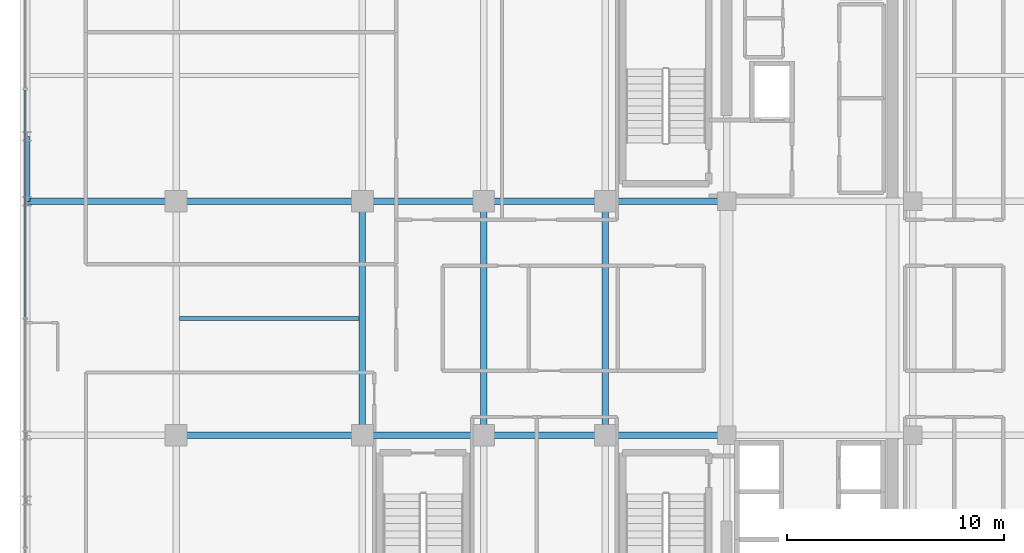
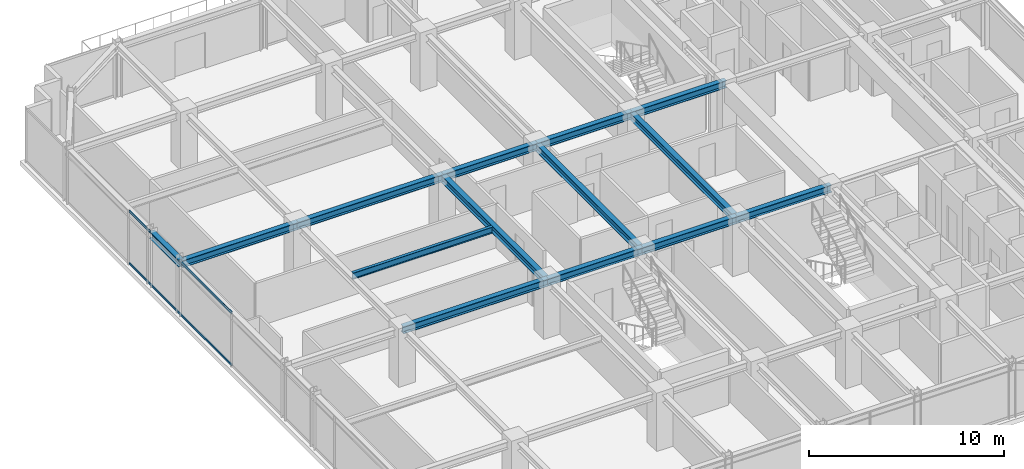
# One storey, part 11 of 36: 14 beams, 2 members, 1 element without a shape of its own.
"""IFC4 building model written with IfcOpenShell, lengths in metres."""

from ifc_helpers import new_model, si_unit, direction, frame, origin, origin_2d, place, context, subcontext, project, spatial, hollow_rectangle, i_section, extrude, source, transform, mapped, material, material_profile, profile_set, type_object, element, aggregate, save


model = new_model("IFC4")

# Units and contexts
model_context = context("Model", 3, precision=1e-05, world=origin(), true_north=direction((0.0, 1.0)))
body_context = subcontext(model_context, "Body", "Model", "MODEL_VIEW")
ifc_project = project(units=[si_unit("LENGTHUNIT", "METRE"), si_unit("AREAUNIT", "SQUARE_METRE"), si_unit("VOLUMEUNIT", "CUBIC_METRE"), si_unit("PLANEANGLEUNIT", "RADIAN"), si_unit("MASSUNIT", "GRAM", prefix="KILO")], contexts=[model_context])

# Site, building, storey
site_placement = place(None, origin())
site = spatial("IfcSite", under=ifc_project, at=site_placement, CompositionType="ELEMENT")
building_placement = place(site_placement, origin())
building = spatial("IfcBuilding", under=site, at=building_placement, Name="Nahalor Promenade Grand Hotel", CompositionType="ELEMENT")
storey_placement = place(building_placement, frame((0.0, 0.0, 219.699951171875)))
storey = spatial("IfcBuildingStorey", under=building, at=storey_placement, Name="L56", CompositionType="ELEMENT", Elevation=219.699951171875)

# Beams
ifc_material_1 = material(Name="Steel S355JR", Category="steel")
ifc_material_profile_1 = material_profile(ifc_material_1, i_section(OverallWidth=0.3, OverallDepth=0.45, WebThickness=0.014, FlangeThickness=0.026, at=origin_2d()), Name="HEB 450")
ifc_profile_set_1 = profile_set([ifc_material_profile_1], Name="Steel S355JR")
beam_type_1 = type_object("IfcBeamType", Name="Beam-Spandrel-HEB450", PredefinedType="SPANDREL", material=ifc_profile_set_1)
shared_shape_1 = source(origin(), body_context, "Body", "SweptSolid", [
    extrude(i_section(OverallWidth=0.3, OverallDepth=0.45, WebThickness=0.014, FlangeThickness=0.026, at=origin_2d()), origin(), (0.0, 0.0, 1.0), 3.0),
])
beam_1_placement = place(storey_placement, frame((-23.8798828125, 5.39990234375, 3.18505859375), z_axis=(0.0, 1.0, 0.0), x_axis=(-1.0, 0.0, 0.0)))
element("IfcBeam", 1, at=beam_1_placement, inside=storey, type_object=beam_type_1, Name="BM-L56-SP-W-3", PredefinedType="SPANDREL", context=body_context, shape_type="MappedRepresentation", body=[
    mapped(shared_shape_1, transform((0.0, 0.0, 0.0), scale=1.0)),
])
ifc_material_profile_2 = material_profile(ifc_material_1, i_section(OverallWidth=0.3, OverallDepth=0.45, WebThickness=0.014, FlangeThickness=0.026, at=origin_2d()), Name="HEB 450")
ifc_profile_set_2 = profile_set([ifc_material_profile_2], Name="Steel S355JR")
beam_type_2 = type_object("IfcBeamType", Name="Beam-Girder-HEB450", PredefinedType="BEAM", material=ifc_profile_set_2)
shared_shape_2 = source(origin(), body_context, "Body", "SweptSolid", [
    extrude(i_section(OverallWidth=0.3, OverallDepth=0.45, WebThickness=0.014, FlangeThickness=0.026, at=origin_2d()), origin(), (0.0, 0.0, 1.0), 6.8798828125),
])
beam_2_placement = place(storey_placement, frame((-23.8798828125, 5.39990234375, 3.18505859375), z_axis=(1.0, 0.0, 0.0), x_axis=(0.0, 1.0, 0.0)))
element("IfcBeam", 2, at=beam_2_placement, inside=storey, type_object=beam_type_2, Name="BM-L56-GX-2-0", PredefinedType="BEAM", context=body_context, shape_type="MappedRepresentation", body=[
    mapped(shared_shape_2, transform((0.0, 0.0, 0.0), scale=1.0)),
])
shared_shape_3 = source(origin(), body_context, "Body", "SweptSolid", [
    extrude(i_section(OverallWidth=0.3, OverallDepth=0.45, WebThickness=0.014, FlangeThickness=0.026, at=origin_2d()), origin(), (0.0, 0.0, 1.0), 8.60009765625),
])
for number, where, z_axis, x_axis, name in (
    (3, (-17.0, -5.39990234375, 3.18505859375), (1.0, 0.0, 0.0), (0.0, 1.0, 0.0), "BM-L56-GX-1-1"),
    (4, (-17.0, 5.39990234375, 3.18505859375), (1.0, 0.0, 0.0), (0.0, 1.0, 0.0), "BM-L56-GX-2-1"),
):
    element("IfcBeam", number, at=place(storey_placement, frame(where, z_axis=z_axis, x_axis=x_axis)), inside=storey, type_object=beam_type_2, Name=name, PredefinedType="BEAM", context=body_context, shape_type="MappedRepresentation", body=[
        mapped(shared_shape_3, transform((0.0, 0.0, 0.0), scale=1.0)),
    ])
shared_shape_4 = source(origin(), body_context, "Body", "SweptSolid", [
    extrude(i_section(OverallWidth=0.3, OverallDepth=0.45, WebThickness=0.014, FlangeThickness=0.026, at=origin_2d()), origin(), (0.0, 0.0, 1.0), 5.599853515625),
])
for number, where, z_axis, x_axis, name in (
    (5, (-8.39990234375, -5.39990234375, 3.18505859375), (1.0, 0.0, 0.0), (0.0, 1.0, 0.0), "BM-L56-GX-1-2"),
    (6, (2.800048828125, -5.39990234375, 3.18505859375), (1.0, 0.0, 0.0), (0.0, 1.0, 0.0), "BM-L56-GX-1-4"),
    (7, (-8.39990234375, 5.39990234375, 3.18505859375), (1.0, 0.0, 0.0), (0.0, 1.0, 0.0), "BM-L56-GX-2-2"),
    (8, (2.800048828125, 5.39990234375, 3.18505859375), (1.0, 0.0, 0.0), (0.0, 1.0, 0.0), "BM-L56-GX-2-4"),
):
    element("IfcBeam", number, at=place(storey_placement, frame(where, z_axis=z_axis, x_axis=x_axis)), inside=storey, type_object=beam_type_2, Name=name, PredefinedType="BEAM", context=body_context, shape_type="MappedRepresentation", body=[
        mapped(shared_shape_4, transform((0.0, 0.0, 0.0), scale=1.0)),
    ])
shared_shape_5 = source(origin(), body_context, "Body", "SweptSolid", [
    extrude(i_section(OverallWidth=0.3, OverallDepth=0.45, WebThickness=0.014, FlangeThickness=0.026, at=origin_2d()), origin(), (0.0, 0.0, 1.0), 5.60009765625),
])
for number, where, z_axis, x_axis, name in (
    (9, (-2.800048828125, -5.39990234375, 3.18505859375), (1.0, 0.0, 0.0), (0.0, 1.0, 0.0), "BM-L56-GX-1-3"),
    (10, (-2.800048828125, 5.39990234375, 3.18505859375), (1.0, 0.0, 0.0), (0.0, 1.0, 0.0), "BM-L56-GX-2-3"),
):
    element("IfcBeam", number, at=place(storey_placement, frame(where, z_axis=z_axis, x_axis=x_axis)), inside=storey, type_object=beam_type_2, Name=name, PredefinedType="BEAM", context=body_context, shape_type="MappedRepresentation", body=[
        mapped(shared_shape_5, transform((0.0, 0.0, 0.0), scale=1.0)),
    ])
shared_shape_6 = source(origin(), body_context, "Body", "SweptSolid", [
    extrude(i_section(OverallWidth=0.3, OverallDepth=0.45, WebThickness=0.014, FlangeThickness=0.026, at=origin_2d()), origin(), (0.0, 0.0, 1.0), 10.7998046875),
])
for number, where, z_axis, x_axis, name in (
    (11, (-8.39990234375, -5.39990234375, 3.18505859375), (0.0, 1.0, 0.0), (-1.0, 0.0, 0.0), "BM-L56-GY-1-2"),
    (12, (-2.800048828125, -5.39990234375, 3.18505859375), (0.0, 1.0, 0.0), (-1.0, 0.0, 0.0), "BM-L56-GY-2-2"),
    (13, (2.800048828125, -5.39990234375, 3.18505859375), (0.0, 1.0, 0.0), (-1.0, 0.0, 0.0), "BM-L56-GY-3-2"),
):
    element("IfcBeam", number, at=place(storey_placement, frame(where, z_axis=z_axis, x_axis=x_axis)), inside=storey, type_object=beam_type_2, Name=name, PredefinedType="BEAM", context=body_context, shape_type="MappedRepresentation", body=[
        mapped(shared_shape_6, transform((0.0, 0.0, 0.0), scale=1.0)),
    ])
ifc_material_profile_3 = material_profile(ifc_material_1, i_section(OverallWidth=0.18, OverallDepth=0.4, WebThickness=0.0086, FlangeThickness=0.0135, at=origin_2d()), Name="IPE 400")
ifc_profile_set_3 = profile_set([ifc_material_profile_3], Name="Steel S355JR")
beam_type_3 = type_object("IfcBeamType", Name="Beam-Joist-IPE400", PredefinedType="JOIST", material=ifc_profile_set_3)
shared_shape_7 = source(origin(), body_context, "Body", "SweptSolid", [
    extrude(i_section(OverallWidth=0.18, OverallDepth=0.4, WebThickness=0.0086, FlangeThickness=0.0135, at=origin_2d()), origin(), (0.0, 0.0, 1.0), 8.300048828125),
])
beam_3_placement = place(storey_placement, frame((-16.85009765625, 0.0, 3.2099609375), z_axis=(1.0, 0.0, 0.0), x_axis=(0.0, 1.0, 0.0)))
element("IfcBeam", 14, at=beam_3_placement, inside=storey, type_object=beam_type_3, Name="BM-L56-JSC-0", PredefinedType="JOIST", context=body_context, shape_type="MappedRepresentation", body=[
    mapped(shared_shape_7, transform((0.0, 0.0, 0.0), scale=1.0)),
])

# Curtain wall, members
ifc_material_2 = material(Name="Anodised Bronze Aluminium EN AW-6063 T6", Category="aluminium")
curtain_wall_type = type_object("IfcCurtainWallType", Name="CW2 Typical Hotel Flush Bronze Unitised Curtain Wall", PredefinedType="USERDEFINED", material=ifc_material_2)
curtain_wall_placement = place(storey_placement, origin())
curtain_wall = element("IfcCurtainWall", 15, at=curtain_wall_placement, inside=storey, type_object=curtain_wall_type, Name="L56 Curtain Wall CW-L56-W-1", ObjectType="UNITISED_CURTAIN_WALL", PredefinedType="USERDEFINED")
ifc_material_profile_4 = material_profile(ifc_material_2, hollow_rectangle(XDim=0.065, YDim=0.13, WallThickness=0.004, at=origin_2d()), Name="CWT 65x130x4")
ifc_profile_set_4 = profile_set([ifc_material_profile_4], Name="Anodised Bronze Aluminium EN AW-6063 T6")
member_type = type_object("IfcMemberType", Name="CWT2 Typical Bronze Transom 65x130", PredefinedType="USERDEFINED", material=ifc_profile_set_4)
shared_shape_8 = source(origin(), body_context, "Body", "SweptSolid", [
    extrude(hollow_rectangle(XDim=0.065, YDim=0.13, WallThickness=0.004, at=origin_2d()), origin(), (0.0, 0.0, 1.0), 10.51513671875),
])
member_1_placement = place(storey_placement, frame((-23.9599609375, 0.032470703125, 0.06494140625), z_axis=(0.0, 1.0, 0.0), x_axis=(-1.0, 0.0, 0.0)))
member_1 = element("IfcMember", 16, at=member_1_placement, type_object=member_type, Name="CW-L56-W-1 Transom 2-0", ObjectType="TRANSOM", PredefinedType="USERDEFINED", context=body_context, shape_type="MappedRepresentation", body=[
    mapped(shared_shape_8, transform((0.0, 0.0, 0.0), scale=1.0)),
])
member_2_placement = place(storey_placement, frame((-23.9599609375, 0.032470703125, 3.344970703125), z_axis=(0.0, 1.0, 0.0), x_axis=(-1.0, 0.0, 0.0)))
member_2 = element("IfcMember", 17, at=member_2_placement, type_object=member_type, Name="CW-L56-W-1 Transom 2-1", ObjectType="TRANSOM", PredefinedType="USERDEFINED", context=body_context, shape_type="MappedRepresentation", body=[
    mapped(shared_shape_8, transform((0.0, 0.0, 0.0), scale=1.0)),
])
aggregate(curtain_wall, [member_1, member_2])

save(model, "model.ifc")
